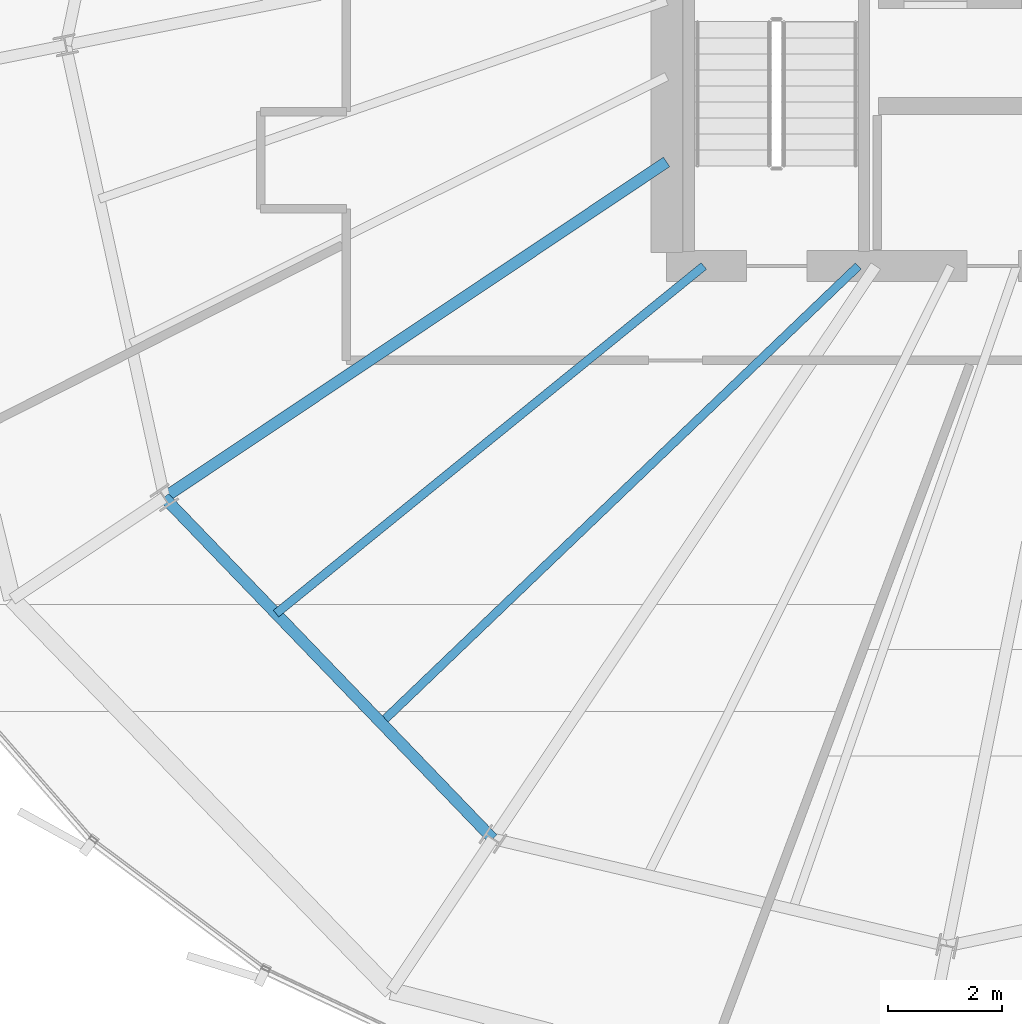
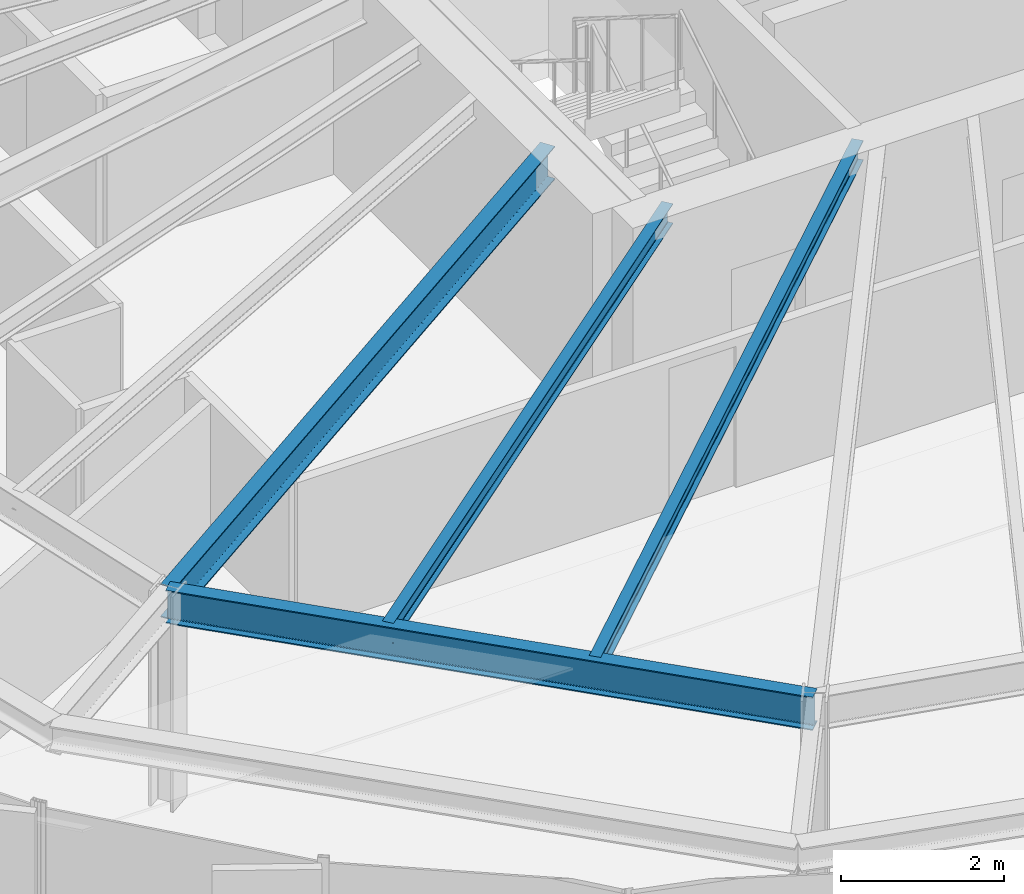
# One storey, part 5 of 36: 4 beams.
"""IFC4 building model written with IfcOpenShell, lengths in metres."""

from ifc_helpers import new_model, si_unit, direction, frame, origin, origin_2d, place, context, subcontext, project, spatial, i_section, extrude, source, transform, mapped, material, material_profile, profile_set, type_object, element, save


model = new_model("IFC4")

# Units and contexts
model_context = context("Model", 3, precision=1e-05, world=origin(), true_north=direction((0.0, 1.0)))
body_context = subcontext(model_context, "Body", "Model", "MODEL_VIEW")
ifc_project = project(units=[si_unit("LENGTHUNIT", "METRE"), si_unit("AREAUNIT", "SQUARE_METRE"), si_unit("VOLUMEUNIT", "CUBIC_METRE"), si_unit("PLANEANGLEUNIT", "RADIAN"), si_unit("MASSUNIT", "GRAM", prefix="KILO"), si_unit("THERMODYNAMICTEMPERATUREUNIT", "KELVIN")], contexts=[model_context])

# Site, building, storey
site_placement = place(None, origin())
site = spatial("IfcSite", under=ifc_project, at=site_placement, CompositionType="ELEMENT")
building_placement = place(site_placement, origin())
building = spatial("IfcBuilding", under=site, at=building_placement, Name="Kethvar Cultural Tower", CompositionType="ELEMENT")
storey_placement = place(building_placement, frame((0.0, 0.0, 176.39990234375)))
storey = spatial("IfcBuildingStorey", under=building, at=storey_placement, Name="L45", CompositionType="ELEMENT", Elevation=176.39990234375)

# Beams
ifc_material = material(Name="Steel S355J2", Category="steel")
ifc_material_profile_1 = material_profile(ifc_material, i_section(OverallWidth=0.199951171875, OverallDepth=0.5, WebThickness=0.01025390625, FlangeThickness=0.01611328125, FilletRadius=0.02099609375, at=origin_2d()), Name="Steel S355J2 — IPE500")
ifc_profile_set_1 = profile_set([ifc_material_profile_1], Name="Steel S355J2 — IPE500")
beam_type_1 = type_object("IfcBeamType", Name="BM-IPE500", PredefinedType="BEAM", material=ifc_profile_set_1)
shared_shape_1 = source(origin(), body_context, "Body", "SweptSolid", [
    extrude(i_section(OverallWidth=0.199951171875, OverallDepth=0.5, WebThickness=0.01025390625, FlangeThickness=0.01611328125, FilletRadius=0.02099609375, at=origin_2d()), origin(), (0.0, 0.0, 1.0), 10.562744140625),
])
beam_1_placement = place(storey_placement, frame((38.0, 21.920166015625, 3.008056640625), z_axis=(-0.831463100754, -0.555579978117, 0.0), x_axis=(0.555579978117, -0.831463100754, 0.0)))
element("IfcBeam", 1, at=beam_1_placement, inside=storey, type_object=beam_type_1, Name="L45 Primary Radial Beam RB-10", PredefinedType="BEAM", context=body_context, shape_type="MappedRepresentation", body=[
    mapped(shared_shape_1, transform((0.0, 0.0, 0.0), scale=1.0)),
])
shared_shape_2 = source(origin(), body_context, "Body", "SweptSolid", [
    extrude(i_section(OverallWidth=0.199951171875, OverallDepth=0.5, WebThickness=0.01025390625, FlangeThickness=0.01611328125, FilletRadius=0.02099609375, at=origin_2d()), origin(), (0.0, 0.0, 1.0), 8.28369140625),
])
beam_2_placement = place(storey_placement, frame((29.217529296875, 16.0517578125, 3.008056640625), z_axis=(0.693554459208, -0.72040420051, 0.0), x_axis=(0.72040420051, 0.693554459208, 0.0)))
element("IfcBeam", 2, at=beam_2_placement, inside=storey, type_object=beam_type_1, Name="L45 Column Ring Tie Beam CR-10", PredefinedType="BEAM", context=body_context, shape_type="MappedRepresentation", body=[
    mapped(shared_shape_2, transform((0.0, 0.0, 0.0), scale=1.0)),
])
ifc_material_profile_2 = material_profile(ifc_material, i_section(OverallWidth=0.14990234375, OverallDepth=0.300048828125, WebThickness=0.007080078125, FlangeThickness=0.0107421875, FilletRadius=0.014892578125, at=origin_2d()), Name="Steel S355J2 — IPE300")
ifc_profile_set_2 = profile_set([ifc_material_profile_2], Name="Steel S355J2 — IPE300")
beam_type_2 = type_object("IfcBeamType", Name="BM-J300", PredefinedType="JOIST", material=ifc_profile_set_2)
shared_shape_3 = source(origin(), body_context, "Body", "SweptSolid", [
    extrude(i_section(OverallWidth=0.14990234375, OverallDepth=0.300048828125, WebThickness=0.007080078125, FlangeThickness=0.0107421875, FilletRadius=0.014892578125, at=origin_2d()), origin(), (0.0, 0.0, 1.0), 9.63671875),
])
beam_3_placement = place(storey_placement, frame((38.64990234375, 20.10009765625, 3.108154296875), z_axis=(-0.776090751649, -0.630621237515, 0.0), x_axis=(0.630621237515, -0.776090751649, 0.0)))
element("IfcBeam", 3, at=beam_3_placement, inside=storey, type_object=beam_type_2, Name="L45 Composite Floor Joist J-10A", PredefinedType="JOIST", context=body_context, shape_type="MappedRepresentation", body=[
    mapped(shared_shape_3, transform((0.0, 0.0, 0.0), scale=1.0)),
])
shared_shape_4 = source(origin(), body_context, "Body", "SweptSolid", [
    extrude(i_section(OverallWidth=0.14990234375, OverallDepth=0.300048828125, WebThickness=0.007080078125, FlangeThickness=0.0107421875, FilletRadius=0.014892578125, at=origin_2d()), origin(), (0.0, 0.0, 1.0), 11.548095703125),
])
beam_4_placement = place(storey_placement, frame((41.35009765625, 20.10009765625, 3.108154296875), z_axis=(-0.722268013472, -0.691613271067, 0.0), x_axis=(0.691613271067, -0.722268013472, 0.0)))
element("IfcBeam", 4, at=beam_4_placement, inside=storey, type_object=beam_type_2, Name="L45 Composite Floor Joist J-10B", PredefinedType="JOIST", context=body_context, shape_type="MappedRepresentation", body=[
    mapped(shared_shape_4, transform((0.0, 0.0, 0.0), scale=1.0)),
])

save(model, "model.ifc")
